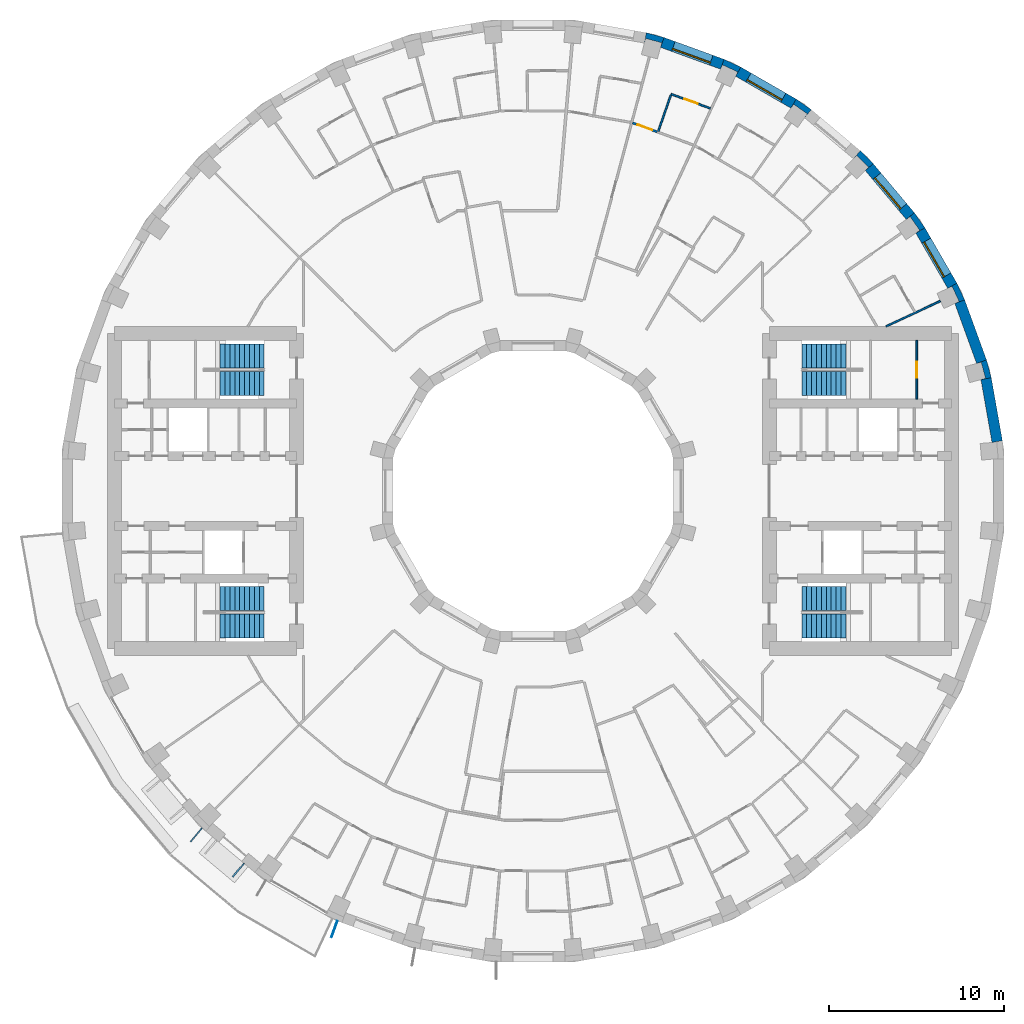
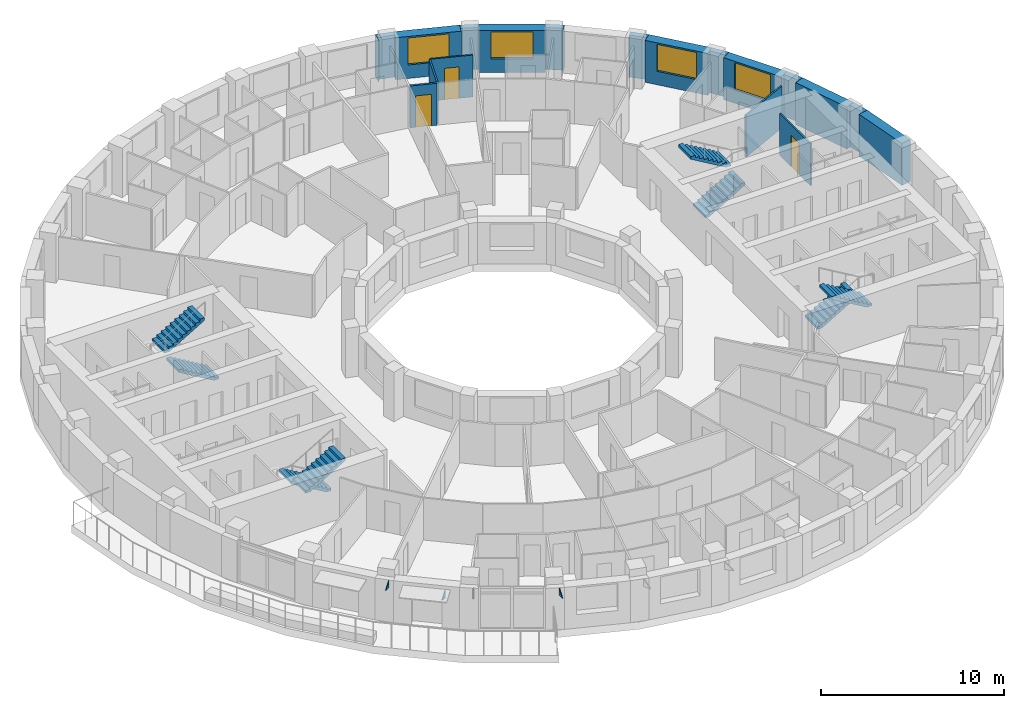
# One storey, part 14 of 16: 18 walls, 8 stair flights, 4 windows, 3 discrete accessories, 3 doors, 7 openings, 4 elements without a shape of their own.
"""IFC4 building model written with IfcOpenShell, lengths in metres."""

from ifc_helpers import new_model, si_unit, direction, frame, frame_2d, origin, place, context, subcontext, project, spatial, polyline, rectangle, outline, extrude, material, layer, layer_set, type_object, element, fill, aggregate, save


model = new_model("IFC4")

# Units and contexts
model_context = context("Model", 3, precision=1e-05, world=origin(), true_north=direction((0.0, 1.0)))
body_context = subcontext(model_context, "Body", "Model", "MODEL_VIEW")
ifc_project = project(units=[si_unit("LENGTHUNIT", "METRE"), si_unit("AREAUNIT", "SQUARE_METRE"), si_unit("VOLUMEUNIT", "CUBIC_METRE"), si_unit("PLANEANGLEUNIT", "RADIAN"), si_unit("MASSUNIT", "GRAM", prefix="KILO")], contexts=[model_context])

# Site, building, storey
site_placement = place(None, origin())
site = spatial("IfcSite", under=ifc_project, at=site_placement, CompositionType="ELEMENT")
building_placement = place(site_placement, origin())
building = spatial("IfcBuilding", under=site, at=building_placement, Name="Saqina Gate Tower", CompositionType="ELEMENT")
storey_placement = place(building_placement, frame((0.0, 0.0, 128.199951171875)))
storey = spatial("IfcBuildingStorey", under=building, at=storey_placement, Name="L36", CompositionType="ELEMENT", Elevation=128.199951171875)

# Walls
ifc_material_1 = material(Name="Brick masonry (buff)", Category="masonry")
wall_type_1 = type_object("IfcWallType", Name="BRICK PIER COPING BUFF", PredefinedType="SOLIDWALL", material=ifc_material_1)
wall_1_placement = place(storey_placement, origin())
element("IfcWall", 1, at=wall_1_placement, inside=storey, type_object=wall_type_1, Name="Pier cap L36 column 2", PredefinedType="SOLIDWALL", context=body_context, shape_type="SweptSolid", body=[
    extrude(outline(polyline([(26.171875, 6.466796875), (25.89892578125, 7.485595703125), (25.335205078125, 7.2802734375), (25.5947265625, 7.349853515625), (25.8408203125, 6.43212890625), (25.5810546875, 6.36279296875), (26.171875, 6.466796875)])), origin(), (0.0, 0.0, 1.0), 2.800048828125),
])
wall_2_placement = place(storey_placement, origin())
element("IfcWall", 2, at=wall_2_placement, inside=storey, type_object=wall_type_1, Name="Pier cap L36 column 3", PredefinedType="SOLIDWALL", context=body_context, shape_type="SweptSolid", body=[
    extrude(outline(polyline([(24.6513671875, 10.913330078125), (24.205810546875, 11.869140625), (23.68603515625, 11.569091796875), (23.9296875, 11.6826171875), (24.331298828125, 10.82177734375), (24.08740234375, 10.7080078125), (24.6513671875, 10.913330078125)])), origin(), (0.0, 0.0, 1.0), 2.800048828125),
])
wall_3_placement = place(storey_placement, origin())
element("IfcWall", 3, at=wall_3_placement, inside=storey, type_object=wall_type_1, Name="Pier cap L36 column 4", PredefinedType="SOLIDWALL", context=body_context, shape_type="SweptSolid", body=[
    extrude(outline(polyline([(21.77685546875, 15.89208984375), (21.317138671875, 15.50634765625), (21.53759765625, 15.66064453125), (22.08251953125, 14.88232421875), (21.862060546875, 14.728271484375), (22.3818359375, 15.0283203125), (21.77685546875, 15.89208984375)])), origin(), (0.0, 0.0, 1.0), 2.800048828125),
])
wall_4_placement = place(storey_placement, origin())
element("IfcWall", 4, at=wall_4_placement, inside=storey, type_object=wall_type_1, Name="Pier cap L36 column 5", PredefinedType="SOLIDWALL", context=body_context, shape_type="SweptSolid", body=[
    extrude(outline(polyline([(19.43212890625, 18.686279296875), (18.686279296875, 19.43212890625), (18.30078125, 18.972412109375), (18.49072265625, 19.16259765625), (19.16259765625, 18.49072265625), (18.972412109375, 18.30078125), (19.43212890625, 18.686279296875)])), origin(), (0.0, 0.0, 1.0), 2.800048828125),
])
wall_5_placement = place(storey_placement, origin())
element("IfcWall", 5, at=wall_5_placement, inside=storey, type_object=wall_type_1, Name="Pier cap L36 column 6", PredefinedType="SOLIDWALL", context=body_context, shape_type="SweptSolid", body=[
    extrude(outline(polyline([(15.0283203125, 22.3818359375), (14.728271484375, 21.862060546875), (14.88232421875, 22.08251953125), (15.66064453125, 21.53759765625), (15.50634765625, 21.317138671875), (15.89208984375, 21.77685546875), (15.0283203125, 22.3818359375)])), origin(), (0.0, 0.0, 1.0), 2.800048828125),
])
wall_6_placement = place(storey_placement, origin())
element("IfcWall", 6, at=wall_6_placement, inside=storey, type_object=wall_type_1, Name="Pier cap L36 column 7", PredefinedType="SOLIDWALL", context=body_context, shape_type="SweptSolid", body=[
    extrude(outline(polyline([(10.913330078125, 24.6513671875), (10.7080078125, 24.08740234375), (10.82177734375, 24.331298828125), (11.6826171875, 23.9296875), (11.569091796875, 23.68603515625), (11.869140625, 24.205810546875), (10.913330078125, 24.6513671875)])), origin(), (0.0, 0.0, 1.0), 2.800048828125),
])
wall_7_placement = place(storey_placement, origin())
element("IfcWall", 7, at=wall_7_placement, inside=storey, type_object=wall_type_1, Name="Pier cap L36 column 8", PredefinedType="SOLIDWALL", context=body_context, shape_type="SweptSolid", body=[
    extrude(outline(polyline([(7.485595703125, 25.89892578125), (6.466796875, 26.171875), (6.36279296875, 25.5810546875), (6.43212890625, 25.8408203125), (7.349853515625, 25.5947265625), (7.2802734375, 25.335205078125), (7.485595703125, 25.89892578125)])), origin(), (0.0, 0.0, 1.0), 2.800048828125),
])

# Wall, opening, door
ifc_material_2 = material(Name="Gypsum board on steel studs", Category="steel")
ifc_layer_1 = layer(ifc_material_2, 0.10009765625)
ifc_layer_set_1 = layer_set([ifc_layer_1], Name="CORE PARTITION")
wall_type_2 = type_object("IfcWallType", Name="CORE PARTITION", PredefinedType="PARTITIONING", material=ifc_layer_set_1)
wall_8_placement = place(storey_placement, frame((21.91162109375, 5.25, 0.0), z_axis=(0.0, 0.0, 1.0), x_axis=(0.0, 1.0, 0.0)))
wall_8 = element("IfcWall", 8, at=wall_8_placement, inside=storey, type_object=wall_type_2, Name="L36-CP-E14", PredefinedType="PARTITIONING", context=body_context, shape_type="SweptSolid", body=[
    extrude(rectangle(XDim=3.35009765625, YDim=0.10009765625, at=frame_2d((1.675048828125, 0.0))), origin(), (0.0, 0.0, 1.0), 2.800048828125),
])
opening_1_placement = place(wall_8_placement, frame((1.22509765625, 0.0, 0.0)))
opening_1 = element("IfcOpeningElement", 9, at=opening_1_placement, cuts=wall_8, Name="Opening G10-D100", PredefinedType="OPENING", context=body_context, shape_type="SweptSolid", body=[
    extrude(rectangle(XDim=0.89990234375, YDim=2.10009765625, at=frame_2d((0.449951171875, 1.050048828125))), frame((0.0, 0.06201171875, 0.0), z_axis=(0.0, -1.0, 0.0), x_axis=(1.0, 0.0, 0.0)), (0.0, 0.0, 1.0), 0.1240234375),
])
ifc_material_3 = material(Name="Steel-framed fire door leaf, EI 60", Category="steel")
door_type_1 = type_object("IfcDoorType", Name="SERVICE ROOM DOOR 900", OperationType="SINGLE_SWING_LEFT", PredefinedType="DOOR", material=ifc_material_3)
door_1_placement = place(opening_1_placement, origin())
door_1 = element("IfcDoor", 10, at=door_1_placement, inside=storey, type_object=door_type_1, Name="L36-CD-E11", OperationType="SINGLE_SWING_RIGHT", OverallHeight=2.10009765625, OverallWidth=0.89990234375, PredefinedType="DOOR", context=body_context, shape_type="SweptSolid", body=[
    extrude(rectangle(XDim=0.89990234375, YDim=2.10009765625, at=frame_2d((0.449951171875, 1.050048828125))), frame((0.0, 0.02490234375, 0.0), z_axis=(0.0, -1.0, 0.0), x_axis=(1.0, 0.0, 0.0)), (0.0, 0.0, 1.0), 0.050048828125),
])
fill(opening_1, door_1)

# Wall, opening, window
ifc_material_4 = material(Name="Brick masonry (buff)", Category="masonry")
ifc_layer_2 = layer(ifc_material_4, 0.60009765625)
ifc_layer_set_2 = layer_set([ifc_layer_2], Name="FW-BRICK-BUFF")
wall_type_3 = type_object("IfcWallType", Name="FW-BRICK-BUFF", PredefinedType="SOLIDWALL", material=ifc_layer_set_2)
wall_9_placement = place(storey_placement, frame((23.94580078125, 11.718994140625, 0.0), z_axis=(0.0, 0.0, 1.0), x_axis=(-0.499954196102, 0.866051847062, 0.0)))
wall_9 = element("IfcWall", 11, at=wall_9_placement, inside=storey, type_object=wall_type_3, Name="Facade wall L36 facet 3", PredefinedType="SOLIDWALL", context=body_context, shape_type="SweptSolid", body=[
    extrude(rectangle(XDim=3.647705078125, YDim=0.60009765625, at=frame_2d((1.82373046875, 0.0))), origin(), (0.0, 0.0, 1.0), 2.800048828125),
])
opening_2_placement = place(wall_9_placement, frame((0.673828125, 0.0, 0.89990234375)))
opening_2 = element("IfcOpeningElement", 12, at=opening_2_placement, cuts=wall_9, Name="Opening G10-W01", PredefinedType="OPENING", context=body_context, shape_type="SweptSolid", body=[
    extrude(rectangle(XDim=2.300048828125, YDim=1.800048828125, at=frame_2d((1.14990234375, 0.89990234375))), frame((0.0, 0.31201171875, 0.0), z_axis=(0.0, -1.0, 0.0), x_axis=(1.0, 0.0, 0.0)), (0.0, 0.0, 1.0), 0.6240234375),
])
ifc_material_5 = material(Name="Aluminium glazing", Category="aluminium")
window_type = type_object("IfcWindowType", Name="WN-B", PartitioningType="SINGLE_PANEL", PredefinedType="WINDOW", material=ifc_material_5)
window_1_placement = place(opening_2_placement, origin())
window_1 = element("IfcWindow", 13, at=window_1_placement, inside=storey, type_object=window_type, Name="Window L36 facet 3", OverallHeight=1.800048828125, OverallWidth=2.300048828125, PartitioningType="SINGLE_PANEL", PredefinedType="WINDOW", context=body_context, shape_type="SweptSolid", body=[
    extrude(rectangle(XDim=2.300048828125, YDim=1.800048828125, at=frame_2d((1.14990234375, 0.89990234375))), frame((0.0, 0.179931640625, 0.0), z_axis=(0.0, -1.0, 0.0), x_axis=(1.0, 0.0, 0.0)), (0.0, 0.0, 1.0), 0.06005859375),
])
fill(opening_2, window_1)

wall_10_placement = place(storey_placement, frame((21.547119140625, 15.69921875, 0.0), z_axis=(0.0, 0.0, 1.0), x_axis=(-0.642774476932, 0.766055462616, 0.0)))
wall_10 = element("IfcWall", 14, at=wall_10_placement, inside=storey, type_object=wall_type_3, Name="Facade wall L36 facet 4", PredefinedType="SOLIDWALL", context=body_context, shape_type="SweptSolid", body=[
    extrude(rectangle(XDim=3.647705078125, YDim=0.60009765625, at=frame_2d((1.82373046875, 0.0))), origin(), (0.0, 0.0, 1.0), 2.800048828125),
])
opening_3_placement = place(wall_10_placement, frame((0.673828125, 0.0, 0.89990234375)))
opening_3 = element("IfcOpeningElement", 15, at=opening_3_placement, cuts=wall_10, Name="Opening G10-W02", PredefinedType="OPENING", context=body_context, shape_type="SweptSolid", body=[
    extrude(rectangle(XDim=2.300048828125, YDim=1.800048828125, at=frame_2d((1.14990234375, 0.89990234375))), frame((0.0, 0.31201171875, 0.0), z_axis=(0.0, -1.0, 0.0), x_axis=(1.0, 0.0, 0.0)), (0.0, 0.0, 1.0), 0.6240234375),
])
window_2_placement = place(opening_3_placement, origin())
window_2 = element("IfcWindow", 16, at=window_2_placement, inside=storey, type_object=window_type, Name="Window L36 facet 4", OverallHeight=1.800048828125, OverallWidth=2.300048828125, PartitioningType="SINGLE_PANEL", PredefinedType="WINDOW", context=body_context, shape_type="SweptSolid", body=[
    extrude(rectangle(XDim=2.300048828125, YDim=1.800048828125, at=frame_2d((1.14990234375, 0.89990234375))), frame((0.0, 0.179931640625, 0.0), z_axis=(0.0, -1.0, 0.0), x_axis=(1.0, 0.0, 0.0)), (0.0, 0.0, 1.0), 0.06005859375),
])
fill(opening_3, window_2)

wall_11_placement = place(storey_placement, frame((14.878173828125, 22.1220703125, 0.0), z_axis=(0.0, 0.0, 1.0), x_axis=(-0.866051847062, 0.499954196102, 0.0)))
wall_11 = element("IfcWall", 17, at=wall_11_placement, inside=storey, type_object=wall_type_3, Name="Facade wall L36 facet 6", PredefinedType="SOLIDWALL", context=body_context, shape_type="SweptSolid", body=[
    extrude(rectangle(XDim=3.647705078125, YDim=0.60009765625, at=frame_2d((1.82373046875, 0.0))), origin(), (0.0, 0.0, 1.0), 2.800048828125),
])
opening_4_placement = place(wall_11_placement, frame((0.673828125, 0.0, 0.89990234375)))
opening_4 = element("IfcOpeningElement", 18, at=opening_4_placement, cuts=wall_11, Name="Opening G10-W04", PredefinedType="OPENING", context=body_context, shape_type="SweptSolid", body=[
    extrude(rectangle(XDim=2.300048828125, YDim=1.800048828125, at=frame_2d((1.14990234375, 0.89990234375))), frame((0.0, 0.31201171875, 0.0), z_axis=(0.0, -1.0, 0.0), x_axis=(1.0, 0.0, 0.0)), (0.0, 0.0, 1.0), 0.6240234375),
])
window_3_placement = place(opening_4_placement, origin())
window_3 = element("IfcWindow", 19, at=window_3_placement, inside=storey, type_object=window_type, Name="Window L36 facet 6", OverallHeight=1.800048828125, OverallWidth=2.300048828125, PartitioningType="SINGLE_PANEL", PredefinedType="WINDOW", context=body_context, shape_type="SweptSolid", body=[
    extrude(rectangle(XDim=2.300048828125, YDim=1.800048828125, at=frame_2d((1.14990234375, 0.89990234375))), frame((0.0, 0.179931640625, 0.0), z_axis=(0.0, -1.0, 0.0), x_axis=(1.0, 0.0, 0.0)), (0.0, 0.0, 1.0), 0.06005859375),
])
fill(opening_4, window_3)

wall_12_placement = place(storey_placement, frame((10.810791015625, 24.369384765625, 0.0), z_axis=(0.0, 0.0, 1.0), x_axis=(-0.939703505393, 0.341990236633, 0.0)))
wall_12 = element("IfcWall", 20, at=wall_12_placement, inside=storey, type_object=wall_type_3, Name="Facade wall L36 facet 7", PredefinedType="SOLIDWALL", context=body_context, shape_type="SweptSolid", body=[
    extrude(rectangle(XDim=3.64794921875, YDim=0.60009765625, at=frame_2d((1.823974609375, 0.0))), origin(), (0.0, 0.0, 1.0), 2.800048828125),
])
opening_5_placement = place(wall_12_placement, frame((0.673828125, 0.0, 0.89990234375)))
opening_5 = element("IfcOpeningElement", 21, at=opening_5_placement, cuts=wall_12, Name="Opening G10-W05", PredefinedType="OPENING", context=body_context, shape_type="SweptSolid", body=[
    extrude(rectangle(XDim=2.300048828125, YDim=1.800048828125, at=frame_2d((1.14990234375, 0.89990234375))), frame((0.0, 0.31201171875, 0.0), z_axis=(0.0, -1.0, 0.0), x_axis=(1.0, 0.0, 0.0)), (0.0, 0.0, 1.0), 0.6240234375),
])
window_4_placement = place(opening_5_placement, origin())
window_4 = element("IfcWindow", 22, at=window_4_placement, inside=storey, type_object=window_type, Name="Window L36 facet 7", OverallHeight=1.800048828125, OverallWidth=2.300048828125, PartitioningType="SINGLE_PANEL", PredefinedType="WINDOW", context=body_context, shape_type="SweptSolid", body=[
    extrude(rectangle(XDim=2.300048828125, YDim=1.800048828125, at=frame_2d((1.14990234375, 0.89990234375))), frame((0.0, 0.179931640625, 0.0), z_axis=(0.0, -1.0, 0.0), x_axis=(1.0, 0.0, 0.0)), (0.0, 0.0, 1.0), 0.06005859375),
])
fill(opening_5, window_4)

# Walls
ifc_material_6 = material(Name="Glazed ceramic tile", Category="ceramic")
ifc_layer_3 = layer(ifc_material_6, 0.60009765625)
ifc_layer_set_3 = layer_set([ifc_layer_3], Name="FW-TILE")
wall_type_4 = type_object("IfcWallType", Name="FW-TILE", PredefinedType="SOLIDWALL", material=ifc_layer_set_3)
wall_13_placement = place(storey_placement, frame((26.510009765625, 2.822265625, 0.0), z_axis=(0.0, 0.0, 1.0), x_axis=(-0.173670796382, 0.984803764455, 0.0)))
element("IfcWall", 23, at=wall_13_placement, inside=storey, type_object=wall_type_4, Name="Facade wall L36 facet 1", PredefinedType="SOLIDWALL", context=body_context, shape_type="SweptSolid", body=[
    extrude(rectangle(XDim=3.64794921875, YDim=0.60009765625, at=frame_2d((1.823974609375, 0.0))), origin(), (0.0, 0.0, 1.0), 2.800048828125),
])
ifc_material_7 = material(Name="Glazed ceramic tile (dark blue)", Category="ceramic")
ifc_layer_4 = layer(ifc_material_7, 0.60009765625)
ifc_layer_set_4 = layer_set([ifc_layer_4], Name="FW-TILE-CB")
wall_type_5 = type_object("IfcWallType", Name="FW-TILE-CB", PredefinedType="SOLIDWALL", material=ifc_layer_set_4)
wall_14_placement = place(storey_placement, frame((25.616943359375, 7.3828125, 0.0), z_axis=(0.0, 0.0, 1.0), x_axis=(-0.341990236633, 0.939703505393, 0.0)))
element("IfcWall", 24, at=wall_14_placement, inside=storey, type_object=wall_type_5, Name="Facade wall L36 facet 2", PredefinedType="SOLIDWALL", context=body_context, shape_type="SweptSolid", body=[
    extrude(rectangle(XDim=3.64794921875, YDim=0.60009765625, at=frame_2d((1.823974609375, 0.0))), origin(), (0.0, 0.0, 1.0), 2.800048828125),
])

# Wall, opening, door
ifc_material_8 = material(Name="Gypsum board on steel studs, 100 mm", Category="steel")
ifc_layer_5 = layer(ifc_material_8, 0.10009765625)
ifc_layer_set_5 = layer_set([ifc_layer_5], Name="PARTITION 100")
wall_type_6 = type_object("IfcWallType", Name="PARTITION 100", PredefinedType="PARTITIONING", material=ifc_layer_set_5)
wall_15_placement = place(storey_placement, frame((7.888916015625, 22.666015625, 0.0), z_axis=(0.0, 0.0, 1.0), x_axis=(0.939679950861, -0.342054951652, 0.0)))
wall_15 = element("IfcWall", 25, at=wall_15_placement, inside=storey, type_object=wall_type_6, Name="PARTITION PW3-44", PredefinedType="PARTITIONING", context=body_context, shape_type="SweptSolid", body=[
    extrude(rectangle(XDim=2.38818359375, YDim=0.10009765625, at=frame_2d((1.194091796875, 0.0))), origin(), (0.0, 0.0, 1.0), 2.800048828125),
])
opening_6_placement = place(wall_15_placement, frame((0.819091796875, 0.0, 0.0)))
opening_6 = element("IfcOpeningElement", 26, at=opening_6_placement, cuts=wall_15, Name="Opening G10-D11", PredefinedType="OPENING", context=body_context, shape_type="SweptSolid", body=[
    extrude(rectangle(XDim=0.800048828125, YDim=2.10009765625, at=frame_2d((0.39990234375, 1.050048828125))), frame((0.0, 0.06201171875, 0.0), z_axis=(0.0, -1.0, 0.0), x_axis=(1.0, 0.0, 0.0)), (0.0, 0.0, 1.0), 0.1240234375),
])
ifc_material_9 = material(Name="Timber door leaf, 800 mm", Category="wood")
door_type_2 = type_object("IfcDoorType", Name="DOOR 800 TIMBER", OperationType="SINGLE_SWING_LEFT", PredefinedType="DOOR", material=ifc_material_9)
door_2_placement = place(opening_6_placement, origin())
door_2 = element("IfcDoor", 27, at=door_2_placement, inside=storey, type_object=door_type_2, Name="DOOR G10-D11", OperationType="SINGLE_SWING_RIGHT", OverallHeight=2.10009765625, OverallWidth=0.800048828125, PredefinedType="DOOR", context=body_context, shape_type="SweptSolid", body=[
    extrude(rectangle(XDim=0.800048828125, YDim=2.10009765625, at=frame_2d((0.39990234375, 1.050048828125))), frame((0.0, 0.02490234375, 0.0), z_axis=(0.0, -1.0, 0.0), x_axis=(1.0, 0.0, 0.0)), (0.0, 0.0, 1.0), 0.050048828125),
])
fill(opening_6, door_2)

# Walls
wall_16_placement = place(storey_placement, frame((20.158447265625, 9.399169921875, 0.0), z_axis=(0.0, 0.0, 1.0), x_axis=(0.906223222272, 0.422799564114, 0.0)))
element("IfcWall", 28, at=wall_16_placement, inside=storey, type_object=wall_type_6, Name="PARTITION PW3-68", PredefinedType="PARTITIONING", context=body_context, shape_type="SweptSolid", body=[
    extrude(rectangle(XDim=3.423095703125, YDim=0.10009765625, at=frame_2d((1.71142578125, 0.0))), origin(), (0.0, 0.0, 1.0), 2.800048828125),
])
wall_17_placement = place(storey_placement, frame((7.1494140625, 20.541259765625, 0.0), z_axis=(0.0, 0.0, 1.0), x_axis=(0.328718620018, 0.944427905588, 0.0)))
element("IfcWall", 29, at=wall_17_placement, inside=storey, type_object=wall_type_6, Name="PARTITION PW3-100", PredefinedType="PARTITIONING", context=body_context, shape_type="SweptSolid", body=[
    extrude(rectangle(XDim=2.199951171875, YDim=0.10009765625, at=frame_2d((1.10009765625, 0.0))), origin(), (0.0, 0.0, 1.0), 2.800048828125),
])

# Wall, opening, door
ifc_material_10 = material(Name="Gypsum board on steel studs, 125 mm, fire rated", Category="steel")
ifc_layer_6 = layer(ifc_material_10, 0.125)
ifc_layer_set_6 = layer_set([ifc_layer_6], Name="PARTITION EI 30 125")
wall_type_7 = type_object("IfcWallType", Name="PARTITION EI 30 125", PredefinedType="PARTITIONING", material=ifc_layer_set_6)
wall_18_placement = place(storey_placement, frame((5.68408203125, 21.020751953125, 0.0), z_axis=(0.0, 0.0, 1.0), x_axis=(0.939314629693, -0.343056885143, 0.0)))
wall_18 = element("IfcWall", 30, at=wall_18_placement, inside=storey, type_object=wall_type_7, Name="PARTITION PW1-19", PredefinedType="PARTITIONING", context=body_context, shape_type="SweptSolid", body=[
    extrude(rectangle(XDim=1.49169921875, YDim=0.125, at=frame_2d((0.745849609375, 0.0))), origin(), (0.0, 0.0, 1.0), 2.800048828125),
])
opening_7_placement = place(wall_18_placement, frame((0.2958984375, 0.0, 0.0)))
opening_7 = element("IfcOpeningElement", 31, at=opening_7_placement, cuts=wall_18, Name="Opening G10-D12", PredefinedType="OPENING", context=body_context, shape_type="SweptSolid", body=[
    extrude(rectangle(XDim=0.89990234375, YDim=2.10009765625, at=frame_2d((0.449951171875, 1.050048828125))), frame((0.0, 0.074462890625, 0.0), z_axis=(0.0, -1.0, 0.0), x_axis=(1.0, 0.0, 0.0)), (0.0, 0.0, 1.0), 0.14892578125),
])
ifc_material_11 = material(Name="Fire door leaf EI 30, 900 mm")
door_type_3 = type_object("IfcDoorType", Name="DOOR 900 EI 30", OperationType="SINGLE_SWING_LEFT", PredefinedType="DOOR", material=ifc_material_11)
door_3_placement = place(opening_7_placement, frame((0.89990234375, 0.0, 0.0), z_axis=(0.0, 0.0, 1.0), x_axis=(-1.0, 0.0, 0.0)))
door_3 = element("IfcDoor", 32, at=door_3_placement, inside=storey, type_object=door_type_3, Name="DOOR G10-D12", OperationType="SINGLE_SWING_RIGHT", OverallHeight=2.10009765625, OverallWidth=0.89990234375, PredefinedType="DOOR", context=body_context, shape_type="SweptSolid", body=[
    extrude(rectangle(XDim=0.89990234375, YDim=2.10009765625, at=frame_2d((0.449951171875, 1.050048828125))), frame((0.0, 0.02490234375, 0.0), z_axis=(0.0, -1.0, 0.0), x_axis=(1.0, 0.0, 0.0)), (0.0, 0.0, 1.0), 0.050048828125),
])
fill(opening_7, door_3)

# Stair, stair flights
ifc_material_12 = material(Name="Concrete C40/50", Category="concrete")
stair_type = type_object("IfcStairType", Name="EXIT STAIR", PredefinedType="HALF_TURN_STAIR", material=ifc_material_12)
stair_1_placement = place(storey_placement, origin())
stair_1 = element("IfcStair", 33, at=stair_1_placement, inside=storey, type_object=stair_type, Name="EXIT STAIR 1", PredefinedType="HALF_TURN_STAIR")
ifc_material_13 = material(Name="Concrete C40/50", Category="concrete")
stair_flight_type = type_object("IfcStairFlightType", Name="EXIT STAIR FLIGHT", PredefinedType="STRAIGHT", material=ifc_material_13)
stair_flight_1_placement = place(storey_placement, frame((15.35009765625, 6.1416015625, 0.0), z_axis=(0.0, 0.0, 1.0), x_axis=(1.0, 0.0, 0.0)))
stair_flight_1 = element("IfcStairFlight", 34, at=stair_flight_1_placement, type_object=stair_flight_type, Name="EXIT STAIR 1 FLIGHT 1", NumberOfRisers=10, NumberOfTreads=9, PredefinedType="STRAIGHT", RiserHeight=0.165, TreadLength=0.28, context=body_context, shape_type="SweptSolid", body=[
    extrude(outline(polyline([(0.0, 0.0), (0.0, 0.1650390625), (0.280029296875, 0.1650390625), (0.280029296875, 0.330078125), (0.56005859375, 0.330078125), (0.56005859375, 0.4951171875), (0.840087890625, 0.4951171875), (0.840087890625, 0.659912109375), (1.1201171875, 0.659912109375), (1.1201171875, 0.824951171875), (1.39990234375, 0.824951171875), (1.39990234375, 0.989990234375), (1.679931640625, 0.989990234375), (1.679931640625, 1.155029296875), (1.9599609375, 1.155029296875), (1.9599609375, 1.320068359375), (2.239990234375, 1.320068359375), (2.239990234375, 1.485107421875), (2.52001953125, 1.485107421875), (2.52001953125, 1.64990234375), (2.52001953125, 1.31103515625), (0.295166015625, 0.0), (0.0, 0.0)])), frame((0.0, 0.675048828125, 0.0), z_axis=(0.0, -1.0, 0.0), x_axis=(1.0, 0.0, 0.0)), (0.0, 0.0, 1.0), 1.35009765625),
])
stair_flight_2_placement = place(storey_placement, frame((17.8701171875, 7.708251953125, 1.650146484375), z_axis=(0.0, 0.0, 1.0), x_axis=(-1.0, 0.0, 0.0)))
stair_flight_2 = element("IfcStairFlight", 35, at=stair_flight_2_placement, type_object=stair_flight_type, Name="EXIT STAIR 1 FLIGHT 2", NumberOfRisers=10, NumberOfTreads=9, PredefinedType="STRAIGHT", RiserHeight=0.165, TreadLength=0.28, context=body_context, shape_type="SweptSolid", body=[
    extrude(outline(polyline([(0.0, 0.0), (0.0, 0.1650390625), (0.280029296875, 0.1650390625), (0.280029296875, 0.330078125), (0.56005859375, 0.330078125), (0.56005859375, 0.4951171875), (0.840087890625, 0.4951171875), (0.840087890625, 0.659912109375), (1.1201171875, 0.659912109375), (1.1201171875, 0.824951171875), (1.39990234375, 0.824951171875), (1.39990234375, 0.989990234375), (1.679931640625, 0.989990234375), (1.679931640625, 1.155029296875), (1.9599609375, 1.155029296875), (1.9599609375, 1.320068359375), (2.239990234375, 1.320068359375), (2.239990234375, 1.485107421875), (2.52001953125, 1.485107421875), (2.52001953125, 1.64990234375), (2.52001953125, 1.31103515625), (0.295166015625, 0.0), (0.0, 0.0)])), frame((0.0, 0.675048828125, 0.0), z_axis=(0.0, -1.0, 0.0), x_axis=(1.0, 0.0, 0.0)), (0.0, 0.0, 1.0), 1.35009765625),
])
aggregate(stair_1, [stair_flight_1, stair_flight_2])

stair_2_placement = place(storey_placement, origin())
stair_2 = element("IfcStair", 36, at=stair_2_placement, inside=storey, type_object=stair_type, Name="EXIT STAIR 2", PredefinedType="HALF_TURN_STAIR")
stair_flight_3_placement = place(storey_placement, frame((15.35009765625, -6.1416015625, 0.0), z_axis=(0.0, 0.0, 1.0), x_axis=(1.0, 0.0, 0.0)))
stair_flight_3 = element("IfcStairFlight", 37, at=stair_flight_3_placement, type_object=stair_flight_type, Name="EXIT STAIR 2 FLIGHT 1", NumberOfRisers=10, NumberOfTreads=9, PredefinedType="STRAIGHT", RiserHeight=0.165, TreadLength=0.28, context=body_context, shape_type="SweptSolid", body=[
    extrude(outline(polyline([(0.0, 0.0), (0.0, 0.1650390625), (0.280029296875, 0.1650390625), (0.280029296875, 0.330078125), (0.56005859375, 0.330078125), (0.56005859375, 0.4951171875), (0.840087890625, 0.4951171875), (0.840087890625, 0.659912109375), (1.1201171875, 0.659912109375), (1.1201171875, 0.824951171875), (1.39990234375, 0.824951171875), (1.39990234375, 0.989990234375), (1.679931640625, 0.989990234375), (1.679931640625, 1.155029296875), (1.9599609375, 1.155029296875), (1.9599609375, 1.320068359375), (2.239990234375, 1.320068359375), (2.239990234375, 1.485107421875), (2.52001953125, 1.485107421875), (2.52001953125, 1.64990234375), (2.52001953125, 1.31103515625), (0.295166015625, 0.0), (0.0, 0.0)])), frame((0.0, 0.675048828125, 0.0), z_axis=(0.0, -1.0, 0.0), x_axis=(1.0, 0.0, 0.0)), (0.0, 0.0, 1.0), 1.35009765625),
])
stair_flight_4_placement = place(storey_placement, frame((17.8701171875, -7.708251953125, 1.650146484375), z_axis=(0.0, 0.0, 1.0), x_axis=(-1.0, 0.0, 0.0)))
stair_flight_4 = element("IfcStairFlight", 38, at=stair_flight_4_placement, type_object=stair_flight_type, Name="EXIT STAIR 2 FLIGHT 2", NumberOfRisers=10, NumberOfTreads=9, PredefinedType="STRAIGHT", RiserHeight=0.165, TreadLength=0.28, context=body_context, shape_type="SweptSolid", body=[
    extrude(outline(polyline([(0.0, 0.0), (0.0, 0.1650390625), (0.280029296875, 0.1650390625), (0.280029296875, 0.330078125), (0.56005859375, 0.330078125), (0.56005859375, 0.4951171875), (0.840087890625, 0.4951171875), (0.840087890625, 0.659912109375), (1.1201171875, 0.659912109375), (1.1201171875, 0.824951171875), (1.39990234375, 0.824951171875), (1.39990234375, 0.989990234375), (1.679931640625, 0.989990234375), (1.679931640625, 1.155029296875), (1.9599609375, 1.155029296875), (1.9599609375, 1.320068359375), (2.239990234375, 1.320068359375), (2.239990234375, 1.485107421875), (2.52001953125, 1.485107421875), (2.52001953125, 1.64990234375), (2.52001953125, 1.31103515625), (0.295166015625, 0.0), (0.0, 0.0)])), frame((0.0, 0.675048828125, 0.0), z_axis=(0.0, -1.0, 0.0), x_axis=(1.0, 0.0, 0.0)), (0.0, 0.0, 1.0), 1.35009765625),
])
aggregate(stair_2, [stair_flight_3, stair_flight_4])

stair_3_placement = place(storey_placement, origin())
stair_3 = element("IfcStair", 39, at=stair_3_placement, inside=storey, type_object=stair_type, Name="EXIT STAIR 3", PredefinedType="HALF_TURN_STAIR")
stair_flight_5_placement = place(storey_placement, frame((-15.35009765625, 6.1416015625, 0.0), z_axis=(0.0, 0.0, 1.0), x_axis=(-1.0, 0.0, 0.0)))
stair_flight_5 = element("IfcStairFlight", 40, at=stair_flight_5_placement, type_object=stair_flight_type, Name="EXIT STAIR 3 FLIGHT 1", NumberOfRisers=10, NumberOfTreads=9, PredefinedType="STRAIGHT", RiserHeight=0.165, TreadLength=0.28, context=body_context, shape_type="SweptSolid", body=[
    extrude(outline(polyline([(0.0, 0.0), (0.0, 0.1650390625), (0.280029296875, 0.1650390625), (0.280029296875, 0.330078125), (0.56005859375, 0.330078125), (0.56005859375, 0.4951171875), (0.840087890625, 0.4951171875), (0.840087890625, 0.659912109375), (1.1201171875, 0.659912109375), (1.1201171875, 0.824951171875), (1.39990234375, 0.824951171875), (1.39990234375, 0.989990234375), (1.679931640625, 0.989990234375), (1.679931640625, 1.155029296875), (1.9599609375, 1.155029296875), (1.9599609375, 1.320068359375), (2.239990234375, 1.320068359375), (2.239990234375, 1.485107421875), (2.52001953125, 1.485107421875), (2.52001953125, 1.64990234375), (2.52001953125, 1.31103515625), (0.295166015625, 0.0), (0.0, 0.0)])), frame((0.0, 0.675048828125, 0.0), z_axis=(0.0, -1.0, 0.0), x_axis=(1.0, 0.0, 0.0)), (0.0, 0.0, 1.0), 1.35009765625),
])
stair_flight_6_placement = place(storey_placement, frame((-17.8701171875, 7.708251953125, 1.650146484375), z_axis=(0.0, 0.0, 1.0), x_axis=(1.0, 0.0, 0.0)))
stair_flight_6 = element("IfcStairFlight", 41, at=stair_flight_6_placement, type_object=stair_flight_type, Name="EXIT STAIR 3 FLIGHT 2", NumberOfRisers=10, NumberOfTreads=9, PredefinedType="STRAIGHT", RiserHeight=0.165, TreadLength=0.28, context=body_context, shape_type="SweptSolid", body=[
    extrude(outline(polyline([(0.0, 0.0), (0.0, 0.1650390625), (0.280029296875, 0.1650390625), (0.280029296875, 0.330078125), (0.56005859375, 0.330078125), (0.56005859375, 0.4951171875), (0.840087890625, 0.4951171875), (0.840087890625, 0.659912109375), (1.1201171875, 0.659912109375), (1.1201171875, 0.824951171875), (1.39990234375, 0.824951171875), (1.39990234375, 0.989990234375), (1.679931640625, 0.989990234375), (1.679931640625, 1.155029296875), (1.9599609375, 1.155029296875), (1.9599609375, 1.320068359375), (2.239990234375, 1.320068359375), (2.239990234375, 1.485107421875), (2.52001953125, 1.485107421875), (2.52001953125, 1.64990234375), (2.52001953125, 1.31103515625), (0.295166015625, 0.0), (0.0, 0.0)])), frame((0.0, 0.675048828125, 0.0), z_axis=(0.0, -1.0, 0.0), x_axis=(1.0, 0.0, 0.0)), (0.0, 0.0, 1.0), 1.35009765625),
])
aggregate(stair_3, [stair_flight_5, stair_flight_6])

stair_4_placement = place(storey_placement, origin())
stair_4 = element("IfcStair", 42, at=stair_4_placement, inside=storey, type_object=stair_type, Name="EXIT STAIR 4", PredefinedType="HALF_TURN_STAIR")
stair_flight_7_placement = place(storey_placement, frame((-15.35009765625, -6.1416015625, 0.0), z_axis=(0.0, 0.0, 1.0), x_axis=(-1.0, 0.0, 0.0)))
stair_flight_7 = element("IfcStairFlight", 43, at=stair_flight_7_placement, type_object=stair_flight_type, Name="EXIT STAIR 4 FLIGHT 1", NumberOfRisers=10, NumberOfTreads=9, PredefinedType="STRAIGHT", RiserHeight=0.165, TreadLength=0.28, context=body_context, shape_type="SweptSolid", body=[
    extrude(outline(polyline([(0.0, 0.0), (0.0, 0.1650390625), (0.280029296875, 0.1650390625), (0.280029296875, 0.330078125), (0.56005859375, 0.330078125), (0.56005859375, 0.4951171875), (0.840087890625, 0.4951171875), (0.840087890625, 0.659912109375), (1.1201171875, 0.659912109375), (1.1201171875, 0.824951171875), (1.39990234375, 0.824951171875), (1.39990234375, 0.989990234375), (1.679931640625, 0.989990234375), (1.679931640625, 1.155029296875), (1.9599609375, 1.155029296875), (1.9599609375, 1.320068359375), (2.239990234375, 1.320068359375), (2.239990234375, 1.485107421875), (2.52001953125, 1.485107421875), (2.52001953125, 1.64990234375), (2.52001953125, 1.31103515625), (0.295166015625, 0.0), (0.0, 0.0)])), frame((0.0, 0.675048828125, 0.0), z_axis=(0.0, -1.0, 0.0), x_axis=(1.0, 0.0, 0.0)), (0.0, 0.0, 1.0), 1.35009765625),
])
stair_flight_8_placement = place(storey_placement, frame((-17.8701171875, -7.708251953125, 1.650146484375), z_axis=(0.0, 0.0, 1.0), x_axis=(1.0, 0.0, 0.0)))
stair_flight_8 = element("IfcStairFlight", 44, at=stair_flight_8_placement, type_object=stair_flight_type, Name="EXIT STAIR 4 FLIGHT 2", NumberOfRisers=10, NumberOfTreads=9, PredefinedType="STRAIGHT", RiserHeight=0.165, TreadLength=0.28, context=body_context, shape_type="SweptSolid", body=[
    extrude(outline(polyline([(0.0, 0.0), (0.0, 0.1650390625), (0.280029296875, 0.1650390625), (0.280029296875, 0.330078125), (0.56005859375, 0.330078125), (0.56005859375, 0.4951171875), (0.840087890625, 0.4951171875), (0.840087890625, 0.659912109375), (1.1201171875, 0.659912109375), (1.1201171875, 0.824951171875), (1.39990234375, 0.824951171875), (1.39990234375, 0.989990234375), (1.679931640625, 0.989990234375), (1.679931640625, 1.155029296875), (1.9599609375, 1.155029296875), (1.9599609375, 1.320068359375), (2.239990234375, 1.320068359375), (2.239990234375, 1.485107421875), (2.52001953125, 1.485107421875), (2.52001953125, 1.64990234375), (2.52001953125, 1.31103515625), (0.295166015625, 0.0), (0.0, 0.0)])), frame((0.0, 0.675048828125, 0.0), z_axis=(0.0, -1.0, 0.0), x_axis=(1.0, 0.0, 0.0)), (0.0, 0.0, 1.0), 1.35009765625),
])
aggregate(stair_4, [stair_flight_7, stair_flight_8])

# Discrete accessories
ifc_material_14 = material(Name="Galvanised steel", Category="steel")
ifc_layer_7 = layer(ifc_material_14, 0.050048828125)
ifc_layer_set_7 = layer_set([ifc_layer_7], Name="BR-AWNING")
discrete_accessory_type_1 = type_object("IfcDiscreteAccessoryType", Name="BR-AWNING", PredefinedType="BRACKET", material=ifc_layer_set_7)
discrete_accessory_1_placement = place(storey_placement, frame((-16.485595703125, -21.27880859375, 1.97509765625), z_axis=(0.766055819685, -0.64277405138, 0.0), x_axis=(0.0, 0.0, 1.0)))
element("IfcDiscreteAccessory", 45, at=discrete_accessory_1_placement, inside=storey, type_object=discrete_accessory_type_1, Name="Awning bracket L36 facet 23", PredefinedType="BRACKET", context=body_context, shape_type="SweptSolid", body=[
    extrude(outline(polyline([(0.0, 0.0), (0.550048828125, 0.0), (0.550048828125, 1.0000750096322273), (0.0, 0.0)])), origin(), (0.0, 0.0, -1.0), 0.050048828125),
])
ifc_material_15 = material(Name="Galvanised steel", Category="steel")
ifc_layer_8 = layer(ifc_material_15, 0.050048828125)
ifc_layer_set_8 = layer_set([ifc_layer_8], Name="BR-GUSSET")
discrete_accessory_type_2 = type_object("IfcDiscreteAccessoryType", Name="BR-GUSSET", PredefinedType="BRACKET", material=ifc_layer_set_8)
discrete_accessory_2_placement = place(storey_placement, frame((-18.881103515625, -19.2685546875, 2.300048828125), z_axis=(0.766055819685, -0.64277405138, 0.0), x_axis=(0.0, 0.0, 1.0)))
element("IfcDiscreteAccessory", 46, at=discrete_accessory_2_placement, inside=storey, type_object=discrete_accessory_type_2, Name="Terrace slab bracket L37 1", PredefinedType="BRACKET", context=body_context, shape_type="SweptSolid", body=[
    extrude(outline(polyline([(0.0, 0.0), (0.5, 0.0), (0.5, 1.0000750096322275), (0.0, 0.0)])), origin(), (0.0, 0.0, -1.0), 0.050048828125),
])
discrete_accessory_3_placement = place(storey_placement, frame((-11.15234375, -24.564453125, 2.300048828125), z_axis=(0.939686455819, -0.342037080957, 0.0), x_axis=(0.0, 0.0, 1.0)))
element("IfcDiscreteAccessory", 47, at=discrete_accessory_3_placement, inside=storey, type_object=discrete_accessory_type_2, Name="Terrace slab bracket L37 3", PredefinedType="BRACKET", context=body_context, shape_type="SweptSolid", body=[
    extrude(outline(polyline([(0.0, 0.0), (0.5, 0.0), (0.5, 1.000011503630275), (0.0, 0.0)])), origin(), (0.0, 0.0, -1.0), 0.050048828125),
])

save(model, "model.ifc")
